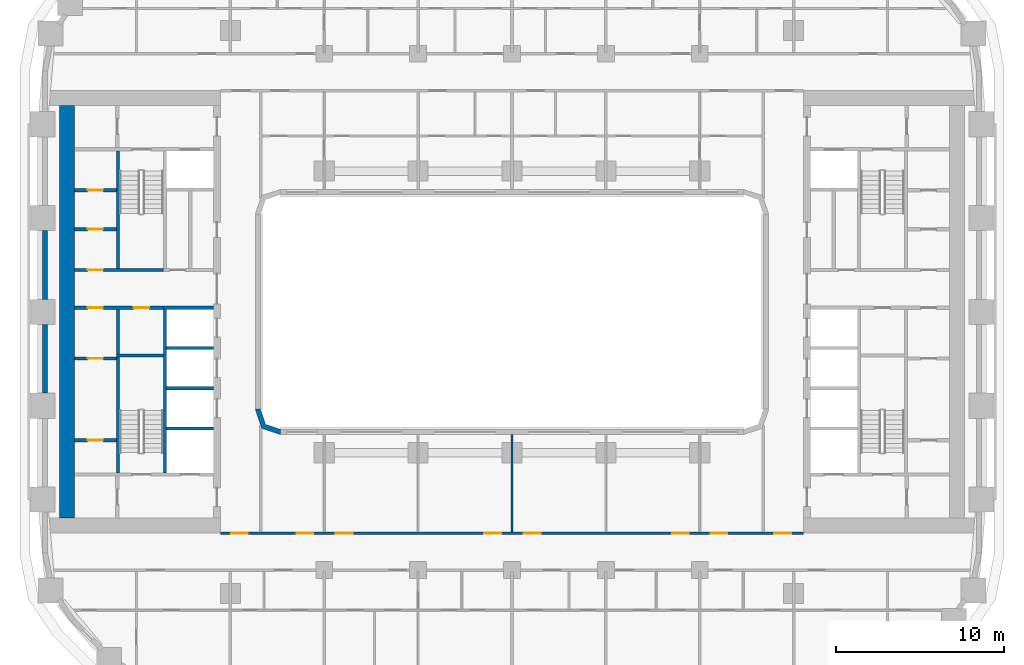
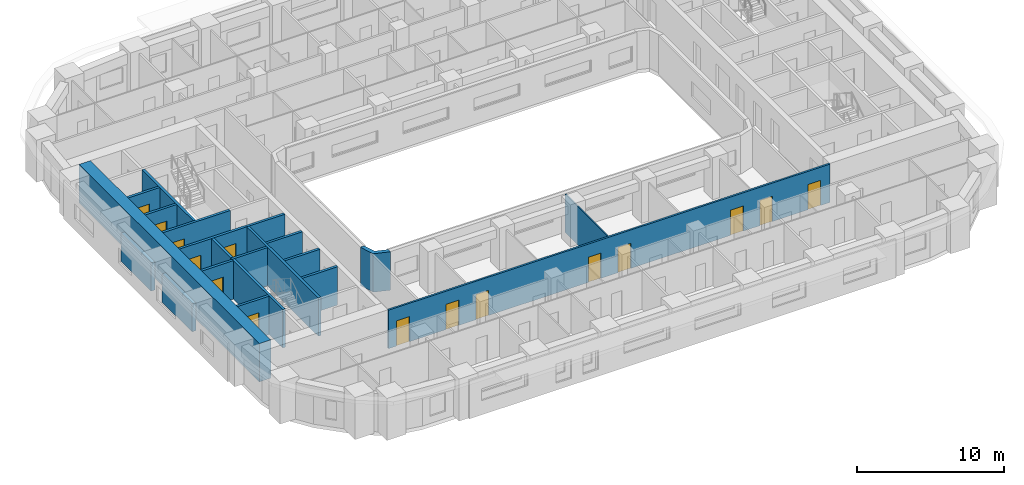
# One storey, part 4 of 21: 21 walls, 15 doors, 15 openings.
"""IFC4 building model written with IfcOpenShell, lengths in metres."""

from ifc_helpers import new_model, si_unit, direction, frame, frame_2d, origin, place, context, subcontext, project, spatial, polyline, rectangle, outline, extrude, material, layer, layer_set, type_object, element, fill, save


model = new_model("IFC4")

# Units and contexts
model_context = context("Model", 3, precision=1e-05, world=origin(), true_north=direction((0.0, 1.0)))
body_context = subcontext(model_context, "Body", "Model", "MODEL_VIEW")
ifc_project = project(units=[si_unit("LENGTHUNIT", "METRE"), si_unit("AREAUNIT", "SQUARE_METRE"), si_unit("VOLUMEUNIT", "CUBIC_METRE"), si_unit("PLANEANGLEUNIT", "RADIAN"), si_unit("MASSUNIT", "GRAM", prefix="KILO")], contexts=[model_context])

# Site, building, storey
site_placement = place(None, origin())
site = spatial("IfcSite", under=ifc_project, at=site_placement, CompositionType="ELEMENT")
building_placement = place(site_placement, origin())
building = spatial("IfcBuilding", under=site, at=building_placement, Name="Kiln Ring Residences", CompositionType="ELEMENT")
storey_placement = place(building_placement, frame((0.0, 0.0, 48.0)))
storey = spatial("IfcBuildingStorey", under=building, at=storey_placement, Name="L11", CompositionType="ELEMENT", Elevation=48.0)

# Wall
ifc_material_1 = material(Name="Gypsum board on steel studs", Category="steel")
ifc_layer_1 = layer(ifc_material_1, 0.199951171875)
ifc_layer_set_1 = layer_set([ifc_layer_1], Name="CORE-PARTITION-200")
wall_type_1 = type_object("IfcWallType", Name="CORE-PARTITION-200", PredefinedType="PARTITIONING", material=ifc_layer_set_1)
wall_1_placement = place(storey_placement, frame((-23.5, -2.5, 0.0), z_axis=(0.0, 0.0, 1.0), x_axis=(0.0, 1.0, 0.0)))
element("IfcWall", 1, at=wall_1_placement, inside=storey, type_object=wall_type_1, Name="Core partition west L11 1", PredefinedType="PARTITIONING", context=body_context, shape_type="SweptSolid", body=[
    extrude(rectangle(XDim=2.64990234375, YDim=0.199951171875, at=frame_2d((1.324951171875, 0.0))), origin(), (0.0, 0.0, 1.0), 3.199951171875),
])

# Wall, openings, doors
wall_2_placement = place(storey_placement, frame((-20.800048828125, 0.25, 0.0), z_axis=(0.0, 0.0, 1.0), x_axis=(-1.0, 0.0, 0.0)))
wall_2 = element("IfcWall", 2, at=wall_2_placement, inside=storey, type_object=wall_type_1, Name="Core partition west L11 2", PredefinedType="PARTITIONING", context=body_context, shape_type="SweptSolid", body=[
    extrude(rectangle(XDim=5.300048828125, YDim=0.199951171875, at=frame_2d((2.64990234375, 0.0))), origin(), (0.0, 0.0, 1.0), 3.199951171875),
])
opening_1_placement = place(wall_2_placement, frame((0.85009765625, 0.0, 0.0)))
opening_1 = element("IfcOpeningElement", 3, at=opening_1_placement, cuts=wall_2, Name="Opening L11-CW15", PredefinedType="OPENING", context=body_context, shape_type="SweptSolid", body=[
    extrude(rectangle(XDim=0.89990234375, YDim=2.10009765625, at=frame_2d((0.449951171875, 1.050048828125))), frame((0.0, 0.10986328125, 0.0), z_axis=(0.0, -1.0, 0.0), x_axis=(1.0, 0.0, 0.0)), (0.0, 0.0, 1.0), 0.219970703125),
])
opening_2_placement = place(wall_2_placement, frame((3.60009765625, 0.0, 0.0)))
opening_2 = element("IfcOpeningElement", 4, at=opening_2_placement, cuts=wall_2, Name="Opening L11-CW18", PredefinedType="OPENING", context=body_context, shape_type="SweptSolid", body=[
    extrude(rectangle(XDim=0.89990234375, YDim=2.10009765625, at=frame_2d((0.449951171875, 1.050048828125))), frame((0.0, 0.10986328125, 0.0), z_axis=(0.0, -1.0, 0.0), x_axis=(1.0, 0.0, 0.0)), (0.0, 0.0, 1.0), 0.219970703125),
])
ifc_material_2 = material(Name="Steel door leaf", Category="steel")
door_type_1 = type_object("IfcDoorType", Name="CORE-DOOR-ROOM", OperationType="SINGLE_SWING_LEFT", PredefinedType="DOOR", material=ifc_material_2)
door_1_placement = place(opening_1_placement, origin())
door_1 = element("IfcDoor", 5, at=door_1_placement, inside=storey, type_object=door_type_1, Name="Cleaner's store L11-CW15", OperationType="SINGLE_SWING_LEFT", OverallHeight=2.10009765625, OverallWidth=0.89990234375, PredefinedType="DOOR", context=body_context, shape_type="SweptSolid", body=[
    extrude(rectangle(XDim=0.89990234375, YDim=2.10009765625, at=frame_2d((0.449951171875, 1.050048828125))), frame((0.0, 0.02490234375, 0.0), z_axis=(0.0, -1.0, 0.0), x_axis=(1.0, 0.0, 0.0)), (0.0, 0.0, 1.0), 0.050048828125),
])
fill(opening_1, door_1)
door_2_placement = place(opening_2_placement, origin())
door_2 = element("IfcDoor", 6, at=door_2_placement, inside=storey, type_object=door_type_1, Name="Battery room L11-CW18", OperationType="SINGLE_SWING_RIGHT", OverallHeight=2.10009765625, OverallWidth=0.89990234375, PredefinedType="DOOR", context=body_context, shape_type="SweptSolid", body=[
    extrude(rectangle(XDim=0.89990234375, YDim=2.10009765625, at=frame_2d((0.449951171875, 1.050048828125))), frame((0.0, 0.02490234375, 0.0), z_axis=(0.0, -1.0, 0.0), x_axis=(1.0, 0.0, 0.0)), (0.0, 0.0, 1.0), 0.050048828125),
])
fill(opening_2, door_2)

# Wall, opening, door
wall_3_placement = place(storey_placement, frame((-23.60009765625, -7.64990234375, 0.0), z_axis=(0.0, 0.0, 1.0), x_axis=(-1.0, 0.0, 0.0)))
wall_3 = element("IfcWall", 7, at=wall_3_placement, inside=storey, type_object=wall_type_1, Name="Core partition west L11 6", PredefinedType="PARTITIONING", context=body_context, shape_type="SweptSolid", body=[
    extrude(rectangle(XDim=2.5, YDim=0.199951171875, at=frame_2d((1.25, 0.0))), origin(), (0.0, 0.0, 1.0), 3.199951171875),
])
opening_3_placement = place(wall_3_placement, frame((0.800048828125, 0.0, 0.0)))
opening_3 = element("IfcOpeningElement", 8, at=opening_3_placement, cuts=wall_3, Name="Opening L11-CW16", PredefinedType="OPENING", context=body_context, shape_type="SweptSolid", body=[
    extrude(rectangle(XDim=0.89990234375, YDim=2.10009765625, at=frame_2d((0.449951171875, 1.050048828125))), frame((0.0, 0.10986328125, 0.0), z_axis=(0.0, -1.0, 0.0), x_axis=(1.0, 0.0, 0.0)), (0.0, 0.0, 1.0), 0.219970703125),
])
door_3_placement = place(opening_3_placement, origin())
door_3 = element("IfcDoor", 9, at=door_3_placement, inside=storey, type_object=door_type_1, Name="Plant room L11-CW16", OperationType="SINGLE_SWING_LEFT", OverallHeight=2.10009765625, OverallWidth=0.89990234375, PredefinedType="DOOR", context=body_context, shape_type="SweptSolid", body=[
    extrude(rectangle(XDim=0.89990234375, YDim=2.10009765625, at=frame_2d((0.449951171875, 1.050048828125))), frame((0.0, 0.02490234375, 0.0), z_axis=(0.0, -1.0, 0.0), x_axis=(1.0, 0.0, 0.0)), (0.0, 0.0, 1.0), 0.050048828125),
])
fill(opening_3, door_3)

wall_4_placement = place(storey_placement, frame((-23.60009765625, -2.77490234375, 0.0), z_axis=(0.0, 0.0, 1.0), x_axis=(-1.0, 0.0, 0.0)))
wall_4 = element("IfcWall", 10, at=wall_4_placement, inside=storey, type_object=wall_type_1, Name="Core partition west L11 7", PredefinedType="PARTITIONING", context=body_context, shape_type="SweptSolid", body=[
    extrude(rectangle(XDim=2.5, YDim=0.199951171875, at=frame_2d((1.25, 0.0))), origin(), (0.0, 0.0, 1.0), 3.199951171875),
])
opening_4_placement = place(wall_4_placement, frame((0.800048828125, 0.0, 0.0)))
opening_4 = element("IfcOpeningElement", 11, at=opening_4_placement, cuts=wall_4, Name="Opening L11-CW17", PredefinedType="OPENING", context=body_context, shape_type="SweptSolid", body=[
    extrude(rectangle(XDim=0.89990234375, YDim=2.10009765625, at=frame_2d((0.449951171875, 1.050048828125))), frame((0.0, 0.10986328125, 0.0), z_axis=(0.0, -1.0, 0.0), x_axis=(1.0, 0.0, 0.0)), (0.0, 0.0, 1.0), 0.219970703125),
])
door_4_placement = place(opening_4_placement, origin())
door_4 = element("IfcDoor", 12, at=door_4_placement, inside=storey, type_object=door_type_1, Name="Battery room L11-CW17", OperationType="SINGLE_SWING_RIGHT", OverallHeight=2.10009765625, OverallWidth=0.89990234375, PredefinedType="DOOR", context=body_context, shape_type="SweptSolid", body=[
    extrude(rectangle(XDim=0.89990234375, YDim=2.10009765625, at=frame_2d((0.449951171875, 1.050048828125))), frame((0.0, 0.02490234375, 0.0), z_axis=(0.0, -1.0, 0.0), x_axis=(1.0, 0.0, 0.0)), (0.0, 0.0, 1.0), 0.050048828125),
])
fill(opening_4, door_4)

wall_5_placement = place(storey_placement, frame((-23.60009765625, 4.933349609375, 0.0), z_axis=(0.0, 0.0, 1.0), x_axis=(-1.0, 0.0, 0.0)))
wall_5 = element("IfcWall", 13, at=wall_5_placement, inside=storey, type_object=wall_type_1, Name="Core partition west L11 8", PredefinedType="PARTITIONING", context=body_context, shape_type="SweptSolid", body=[
    extrude(rectangle(XDim=2.5, YDim=0.199951171875, at=frame_2d((1.25, 0.0))), origin(), (0.0, 0.0, 1.0), 3.199951171875),
])
opening_5_placement = place(wall_5_placement, frame((0.800048828125, 0.0, 0.0)))
opening_5 = element("IfcOpeningElement", 14, at=opening_5_placement, cuts=wall_5, Name="Opening L11-CW19", PredefinedType="OPENING", context=body_context, shape_type="SweptSolid", body=[
    extrude(rectangle(XDim=0.89990234375, YDim=2.10009765625, at=frame_2d((0.449951171875, 1.050048828125))), frame((0.0, 0.10986328125, 0.0), z_axis=(0.0, -1.0, 0.0), x_axis=(1.0, 0.0, 0.0)), (0.0, 0.0, 1.0), 0.219970703125),
])
door_5_placement = place(opening_5_placement, origin())
door_5 = element("IfcDoor", 15, at=door_5_placement, inside=storey, type_object=door_type_1, Name="Electrical plant room L11-CW19", OperationType="SINGLE_SWING_RIGHT", OverallHeight=2.10009765625, OverallWidth=0.89990234375, PredefinedType="DOOR", context=body_context, shape_type="SweptSolid", body=[
    extrude(rectangle(XDim=0.89990234375, YDim=2.10009765625, at=frame_2d((0.449951171875, 1.050048828125))), frame((0.0, 0.02490234375, 0.0), z_axis=(0.0, -1.0, 0.0), x_axis=(1.0, 0.0, 0.0)), (0.0, 0.0, 1.0), 0.050048828125),
])
fill(opening_5, door_5)

wall_6_placement = place(storey_placement, frame((-23.60009765625, 7.2666015625, 0.0), z_axis=(0.0, 0.0, 1.0), x_axis=(-1.0, 0.0, 0.0)))
wall_6 = element("IfcWall", 16, at=wall_6_placement, inside=storey, type_object=wall_type_1, Name="Core partition west L11 9", PredefinedType="PARTITIONING", context=body_context, shape_type="SweptSolid", body=[
    extrude(rectangle(XDim=2.5, YDim=0.199951171875, at=frame_2d((1.25, 0.0))), origin(), (0.0, 0.0, 1.0), 3.199951171875),
])
opening_6_placement = place(wall_6_placement, frame((0.800048828125, 0.0, 0.0)))
opening_6 = element("IfcOpeningElement", 17, at=opening_6_placement, cuts=wall_6, Name="Opening L11-CW20", PredefinedType="OPENING", context=body_context, shape_type="SweptSolid", body=[
    extrude(rectangle(XDim=0.89990234375, YDim=2.10009765625, at=frame_2d((0.449951171875, 1.050048828125))), frame((0.0, 0.10986328125, 0.0), z_axis=(0.0, -1.0, 0.0), x_axis=(1.0, 0.0, 0.0)), (0.0, 0.0, 1.0), 0.219970703125),
])
door_6_placement = place(opening_6_placement, origin())
door_6 = element("IfcDoor", 18, at=door_6_placement, inside=storey, type_object=door_type_1, Name="Comms room L11-CW20", OperationType="SINGLE_SWING_LEFT", OverallHeight=2.10009765625, OverallWidth=0.89990234375, PredefinedType="DOOR", context=body_context, shape_type="SweptSolid", body=[
    extrude(rectangle(XDim=0.89990234375, YDim=2.10009765625, at=frame_2d((0.449951171875, 1.050048828125))), frame((0.0, 0.02490234375, 0.0), z_axis=(0.0, -1.0, 0.0), x_axis=(1.0, 0.0, 0.0)), (0.0, 0.0, 1.0), 0.050048828125),
])
fill(opening_6, door_6)

# Walls
ifc_material_3 = material(Name="Gypsum shaft wall system")
ifc_layer_2 = layer(ifc_material_3, 0.199951171875)
ifc_layer_set_2 = layer_set([ifc_layer_2], Name="CORE-SHAFT-WALL-200")
wall_type_2 = type_object("IfcWallType", Name="CORE-SHAFT-WALL-200", PredefinedType="PARTITIONING", material=ifc_layer_set_2)
for number, where, z_axis, x_axis, name in (
    (19, (-17.800048828125, -6.949951171875, 0.0), (0.0, 0.0, 1.0), (-1.0, 0.0, 0.0), "Core partition west L11 10"),
    (20, (-17.800048828125, -4.550048828125, 0.0), (0.0, 0.0, 1.0), (-1.0, 0.0, 0.0), "Core partition west L11 11"),
    (21, (-17.800048828125, -2.14990234375, 0.0), (0.0, 0.0, 1.0), (-1.0, 0.0, 0.0), "Core partition west L11 12"),
):
    element("IfcWall", number, at=place(storey_placement, frame(where, z_axis=z_axis, x_axis=x_axis)), inside=storey, type_object=wall_type_2, Name=name, PredefinedType="PARTITIONING", context=body_context, shape_type="SweptSolid", body=[
        extrude(rectangle(XDim=2.800048828125, YDim=0.199951171875, at=frame_2d((1.39990234375, 0.0))), origin(), (0.0, 0.0, 1.0), 3.199951171875),
    ])
wall_7_placement = place(storey_placement, frame((-17.800048828125, 0.25, 0.0), z_axis=(0.0, 0.0, 1.0), x_axis=(-1.0, 0.0, 0.0)))
element("IfcWall", 22, at=wall_7_placement, inside=storey, type_object=wall_type_2, Name="Core partition west L11 13", PredefinedType="PARTITIONING", context=body_context, shape_type="SweptSolid", body=[
    extrude(rectangle(XDim=3.0, YDim=0.199951171875, at=frame_2d((1.5, 0.0))), origin(), (0.0, 0.0, 1.0), 3.199951171875),
])
ifc_material_4 = material(Name="Concrete C40/50", Category="concrete")
ifc_layer_3 = layer(ifc_material_4, 0.199951171875)
ifc_layer_set_3 = layer_set([ifc_layer_3], Name="CORE-WALL-RC200")
wall_type_3 = type_object("IfcWallType", Name="CORE-WALL-RC200", PredefinedType="SHEAR", material=ifc_layer_set_3)
wall_8_placement = place(storey_placement, frame((-20.699951171875, -9.60009765625, 0.0), z_axis=(0.0, 0.0, 1.0), x_axis=(0.0, 1.0, 0.0)))
element("IfcWall", 23, at=wall_8_placement, inside=storey, type_object=wall_type_3, Name="Core wall west L11 2", PredefinedType="SHEAR", context=body_context, shape_type="SweptSolid", body=[
    extrude(rectangle(XDim=9.75, YDim=0.199951171875, at=frame_2d((4.875, 0.0))), origin(), (0.0, 0.0, 1.0), 3.199951171875),
])

# Wall, opening, door
wall_9_placement = place(storey_placement, frame((-20.800048828125, 2.5, 0.0), z_axis=(0.0, 0.0, 1.0), x_axis=(-1.0, 0.0, 0.0)))
wall_9 = element("IfcWall", 24, at=wall_9_placement, inside=storey, type_object=wall_type_3, Name="Core wall west L11 3", PredefinedType="SHEAR", context=body_context, shape_type="SweptSolid", body=[
    extrude(rectangle(XDim=5.300048828125, YDim=0.199951171875, at=frame_2d((2.64990234375, 0.0))), origin(), (0.0, 0.0, 1.0), 3.199951171875),
])
opening_7_placement = place(wall_9_placement, frame((3.60009765625, 0.0, 0.0)))
opening_7 = element("IfcOpeningElement", 25, at=opening_7_placement, cuts=wall_9, Name="Opening L11-CW21", PredefinedType="OPENING", context=body_context, shape_type="SweptSolid", body=[
    extrude(rectangle(XDim=0.89990234375, YDim=2.10009765625, at=frame_2d((0.449951171875, 1.050048828125))), frame((0.0, 0.10986328125, 0.0), z_axis=(0.0, -1.0, 0.0), x_axis=(1.0, 0.0, 0.0)), (0.0, 0.0, 1.0), 0.219970703125),
])
door_7_placement = place(opening_7_placement, origin())
door_7 = element("IfcDoor", 26, at=door_7_placement, inside=storey, type_object=door_type_1, Name="UPS room L11-CW21", OperationType="SINGLE_SWING_RIGHT", OverallHeight=2.10009765625, OverallWidth=0.89990234375, PredefinedType="DOOR", context=body_context, shape_type="SweptSolid", body=[
    extrude(rectangle(XDim=0.89990234375, YDim=2.10009765625, at=frame_2d((0.449951171875, 1.050048828125))), frame((0.0, 0.02490234375, 0.0), z_axis=(0.0, -1.0, 0.0), x_axis=(1.0, 0.0, 0.0)), (0.0, 0.0, 1.0), 0.050048828125),
])
fill(opening_7, door_7)

# Walls
wall_10_placement = place(storey_placement, frame((-23.5, 2.60009765625, 0.0), z_axis=(0.0, 0.0, 1.0), x_axis=(0.0, 1.0, 0.0)))
element("IfcWall", 27, at=wall_10_placement, inside=storey, type_object=wall_type_3, Name="Core wall west L11 10", PredefinedType="SHEAR", context=body_context, shape_type="SweptSolid", body=[
    extrude(rectangle(XDim=7.0, YDim=0.199951171875, at=frame_2d((3.5, 0.0))), origin(), (0.0, 0.0, 1.0), 3.199951171875),
])
wall_11_placement = place(storey_placement, frame((-23.5, -9.60009765625, 0.0), z_axis=(0.0, 0.0, 1.0), x_axis=(0.0, 1.0, 0.0)))
element("IfcWall", 28, at=wall_11_placement, inside=storey, type_object=wall_type_3, Name="Core wall west L11 11", PredefinedType="SHEAR", context=body_context, shape_type="SweptSolid", body=[
    extrude(rectangle(XDim=6.900146484375, YDim=0.199951171875, at=frame_2d((3.4501953125, 0.0))), origin(), (0.0, 0.0, 1.0), 3.199951171875),
])
wall_12_placement = place(storey_placement, frame((-20.800048828125, -2.60009765625, 0.0), z_axis=(0.0, 0.0, 1.0), x_axis=(-1.0, 0.0, 0.0)))
element("IfcWall", 29, at=wall_12_placement, inside=storey, type_object=wall_type_3, Name="Core wall west L11 12", PredefinedType="SHEAR", context=body_context, shape_type="SweptSolid", body=[
    extrude(rectangle(XDim=2.800048828125, YDim=0.199951171875, at=frame_2d((1.39990234375, 0.0))), origin(), (0.0, 0.0, 1.0), 3.199951171875),
])
ifc_material_5 = material(Name="Concrete C60/75", Category="concrete")
ifc_layer_4 = layer(ifc_material_5, 0.89990234375)
ifc_layer_set_4 = layer_set([ifc_layer_4], Name="CORE-WALL-RC900")
wall_type_4 = type_object("IfcWallType", Name="CORE-WALL-RC900", PredefinedType="SHEAR", material=ifc_layer_set_4)
wall_13_placement = place(storey_placement, frame((-26.550048828125, -12.300048828125, 0.0), z_axis=(0.0, 0.0, 1.0), x_axis=(0.0, 1.0, 0.0)))
element("IfcWall", 30, at=wall_13_placement, inside=storey, type_object=wall_type_4, Name="Core wall west L11 7", PredefinedType="SHEAR", context=body_context, shape_type="SweptSolid", body=[
    extrude(rectangle(XDim=24.60009765625, YDim=0.89990234375, at=frame_2d((12.300048828125, 0.0))), origin(), (0.0, 0.0, 1.0), 3.199951171875),
])
ifc_material_6 = material(Name="Brick masonry, dark clay brick", Category="masonry")
ifc_layer_5 = layer(ifc_material_6, 0.300048828125)
ifc_layer_set_5 = layer_set([ifc_layer_5], Name="EW-300 BRICK WALL")
wall_type_5 = type_object("IfcWallType", Name="EW-300 BRICK WALL", PredefinedType="SOLIDWALL", material=ifc_layer_set_5)
for number, where, z_axis, x_axis, name in (
    (31, (-27.85009765625, 4.85009765625, 0.0), (0.0, 0.0, 1.0), (0.0, -1.0, 0.0), "Facade wall L11 43"),
    (32, (-27.85009765625, -0.75, 0.0), (0.0, 0.0, 1.0), (0.0, -1.0, 0.0), "Facade wall L11 44"),
):
    element("IfcWall", number, at=place(storey_placement, frame(where, z_axis=z_axis, x_axis=x_axis)), inside=storey, type_object=wall_type_5, Name=name, PredefinedType="SOLIDWALL", context=body_context, shape_type="SweptSolid", body=[
        extrude(rectangle(XDim=4.10009765625, YDim=0.300048828125, at=frame_2d((2.050048828125, 0.0))), origin(), (0.0, 0.0, 1.0), 2.35009765625),
    ])
wall_14_placement = place(storey_placement, origin())
element("IfcWall", 33, at=wall_14_placement, inside=storey, type_object=wall_type_5, Name="Corner wall L11 4", PredefinedType="SOLIDWALL", context=body_context, shape_type="SweptSolid", body=[
    extrude(outline(polyline([(-14.937255859375, -6.937255859375), (-13.8486328125, -7.300048828125), (-13.800048828125, -7.300048828125), (-13.800048828125, -7.0), (-14.699951171875, -6.699951171875), (-15.0, -5.800048828125), (-15.300048828125, -5.800048828125), (-15.300048828125, -5.8486328125), (-14.937255859375, -6.937255859375)])), origin(), (0.0, 0.0, 1.0), 3.199951171875),
])
ifc_material_7 = material(Name="Gypsum board on steel studs", Category="steel")
ifc_layer_6 = layer(ifc_material_7, 0.10009765625)
ifc_layer_set_6 = layer_set([ifc_layer_6], Name="PARTITION-100")
wall_type_6 = type_object("IfcWallType", Name="PARTITION-100", PredefinedType="PARTITIONING", material=ifc_layer_set_6)
wall_15_placement = place(storey_placement, frame((0.0, -13.125, 0.0), z_axis=(0.0, 0.0, 1.0), x_axis=(0.0, 1.0, 0.0)))
element("IfcWall", 34, at=wall_15_placement, inside=storey, type_object=wall_type_6, Name="Partition 038", PredefinedType="PARTITIONING", context=body_context, shape_type="SweptSolid", body=[
    extrude(rectangle(XDim=5.804931640625, YDim=0.10009765625, at=frame_2d((2.90234375, 0.0))), origin(), (0.0, 0.0, 1.0), 3.199951171875),
])

# Wall, openings, doors
ifc_material_8 = material(Name="Brick masonry partition", Category="masonry")
ifc_layer_7 = layer(ifc_material_8, 0.14990234375)
ifc_layer_set_7 = layer_set([ifc_layer_7], Name="PARTITION-150-ei60")
wall_type_7 = type_object("IfcWallType", Name="PARTITION-150-ei60", PredefinedType="PARTITIONING", material=ifc_layer_set_7)
wall_16_placement = place(storey_placement, frame((-17.39990234375, -13.199951171875, 0.0), z_axis=(0.0, 0.0, 1.0), x_axis=(1.0, 0.0, 0.0)))
wall_16 = element("IfcWall", 35, at=wall_16_placement, inside=storey, type_object=wall_type_7, Name="Partition 002", PredefinedType="PARTITIONING", context=body_context, shape_type="SweptSolid", body=[
    extrude(rectangle(XDim=34.7998046875, YDim=0.14990234375, at=frame_2d((17.39990234375, 0.0))), origin(), (0.0, 0.0, 1.0), 3.199951171875),
])
opening_8_placement = place(wall_16_placement, frame((0.64990234375, 0.0, 0.0)))
opening_8 = element("IfcOpeningElement", 36, at=opening_8_placement, cuts=wall_16, Name="Opening L11-D003", PredefinedType="OPENING", context=body_context, shape_type="SweptSolid", body=[
    extrude(rectangle(XDim=1.0, YDim=2.10009765625, at=frame_2d((0.5, 1.050048828125))), frame((0.0, 0.0849609375, 0.0), z_axis=(0.0, -1.0, 0.0), x_axis=(1.0, 0.0, 0.0)), (0.0, 0.0, 1.0), 0.169921875),
])
opening_9_placement = place(wall_16_placement, frame((33.050048828125, 0.0, 0.0)))
opening_9 = element("IfcOpeningElement", 37, at=opening_9_placement, cuts=wall_16, Name="Opening L11-D004", PredefinedType="OPENING", context=body_context, shape_type="SweptSolid", body=[
    extrude(rectangle(XDim=1.0, YDim=2.10009765625, at=frame_2d((0.5, 1.050048828125))), frame((0.0, 0.0849609375, 0.0), z_axis=(0.0, -1.0, 0.0), x_axis=(1.0, 0.0, 0.0)), (0.0, 0.0, 1.0), 0.169921875),
])
opening_10_placement = place(wall_16_placement, frame((4.550048828125, 0.0, 0.0)))
opening_10 = element("IfcOpeningElement", 38, at=opening_10_placement, cuts=wall_16, Name="Opening L11-D045", PredefinedType="OPENING", context=body_context, shape_type="SweptSolid", body=[
    extrude(rectangle(XDim=1.0, YDim=2.10009765625, at=frame_2d((0.5, 1.050048828125))), frame((0.0, 0.0849609375, 0.0), z_axis=(0.0, -1.0, 0.0), x_axis=(1.0, 0.0, 0.0)), (0.0, 0.0, 1.0), 0.169921875),
])
opening_11_placement = place(wall_16_placement, frame((6.89990234375, 0.0, 0.0)))
opening_11 = element("IfcOpeningElement", 39, at=opening_11_placement, cuts=wall_16, Name="Opening L11-D046", PredefinedType="OPENING", context=body_context, shape_type="SweptSolid", body=[
    extrude(rectangle(XDim=1.0, YDim=2.10009765625, at=frame_2d((0.5, 1.050048828125))), frame((0.0, 0.0849609375, 0.0), z_axis=(0.0, -1.0, 0.0), x_axis=(1.0, 0.0, 0.0)), (0.0, 0.0, 1.0), 0.169921875),
])
opening_12_placement = place(wall_16_placement, frame((15.75, 0.0, 0.0)))
opening_12 = element("IfcOpeningElement", 40, at=opening_12_placement, cuts=wall_16, Name="Opening L11-D047", PredefinedType="OPENING", context=body_context, shape_type="SweptSolid", body=[
    extrude(rectangle(XDim=1.0, YDim=2.10009765625, at=frame_2d((0.5, 1.050048828125))), frame((0.0, 0.0849609375, 0.0), z_axis=(0.0, -1.0, 0.0), x_axis=(1.0, 0.0, 0.0)), (0.0, 0.0, 1.0), 0.169921875),
])
opening_13_placement = place(wall_16_placement, frame((18.10009765625, 0.0, 0.0)))
opening_13 = element("IfcOpeningElement", 41, at=opening_13_placement, cuts=wall_16, Name="Opening L11-D048", PredefinedType="OPENING", context=body_context, shape_type="SweptSolid", body=[
    extrude(rectangle(XDim=1.0, YDim=2.10009765625, at=frame_2d((0.5, 1.050048828125))), frame((0.0, 0.0849609375, 0.0), z_axis=(0.0, -1.0, 0.0), x_axis=(1.0, 0.0, 0.0)), (0.0, 0.0, 1.0), 0.169921875),
])
opening_14_placement = place(wall_16_placement, frame((26.949951171875, 0.0, 0.0)))
opening_14 = element("IfcOpeningElement", 42, at=opening_14_placement, cuts=wall_16, Name="Opening L11-D049", PredefinedType="OPENING", context=body_context, shape_type="SweptSolid", body=[
    extrude(rectangle(XDim=1.0, YDim=2.10009765625, at=frame_2d((0.5, 1.050048828125))), frame((0.0, 0.0849609375, 0.0), z_axis=(0.0, -1.0, 0.0), x_axis=(1.0, 0.0, 0.0)), (0.0, 0.0, 1.0), 0.169921875),
])
opening_15_placement = place(wall_16_placement, frame((29.25, 0.0, 0.0)))
opening_15 = element("IfcOpeningElement", 43, at=opening_15_placement, cuts=wall_16, Name="Opening L11-D050", PredefinedType="OPENING", context=body_context, shape_type="SweptSolid", body=[
    extrude(rectangle(XDim=1.0, YDim=2.10009765625, at=frame_2d((0.5, 1.050048828125))), frame((0.0, 0.0849609375, 0.0), z_axis=(0.0, -1.0, 0.0), x_axis=(1.0, 0.0, 0.0)), (0.0, 0.0, 1.0), 0.169921875),
])
ifc_material_9 = material(Name="Steel faced fire door leaf", Category="steel")
door_type_2 = type_object("IfcDoorType", Name="FLAT-DOOR-1000-FR", OperationType="SINGLE_SWING_LEFT", PredefinedType="DOOR", material=ifc_material_9)
door_8_placement = place(opening_8_placement, origin())
door_8 = element("IfcDoor", 44, at=door_8_placement, inside=storey, type_object=door_type_2, Name="Door L11-D003", OperationType="SINGLE_SWING_RIGHT", OverallHeight=2.10009765625, OverallWidth=1.0, PredefinedType="DOOR", context=body_context, shape_type="SweptSolid", body=[
    extrude(rectangle(XDim=1.0, YDim=2.10009765625, at=frame_2d((0.5, 1.050048828125))), frame((0.0, 0.02490234375, 0.0), z_axis=(0.0, -1.0, 0.0), x_axis=(1.0, 0.0, 0.0)), (0.0, 0.0, 1.0), 0.050048828125),
])
fill(opening_8, door_8)
door_9_placement = place(opening_9_placement, origin())
door_9 = element("IfcDoor", 45, at=door_9_placement, inside=storey, type_object=door_type_2, Name="Door L11-D004", OperationType="SINGLE_SWING_LEFT", OverallHeight=2.10009765625, OverallWidth=1.0, PredefinedType="DOOR", context=body_context, shape_type="SweptSolid", body=[
    extrude(rectangle(XDim=1.0, YDim=2.10009765625, at=frame_2d((0.5, 1.050048828125))), frame((0.0, 0.02490234375, 0.0), z_axis=(0.0, -1.0, 0.0), x_axis=(1.0, 0.0, 0.0)), (0.0, 0.0, 1.0), 0.050048828125),
])
fill(opening_9, door_9)
door_10_placement = place(opening_10_placement, origin())
door_10 = element("IfcDoor", 46, at=door_10_placement, inside=storey, type_object=door_type_2, Name="Door L11-D045", OperationType="SINGLE_SWING_LEFT", OverallHeight=2.10009765625, OverallWidth=1.0, PredefinedType="DOOR", context=body_context, shape_type="SweptSolid", body=[
    extrude(rectangle(XDim=1.0, YDim=2.10009765625, at=frame_2d((0.5, 1.050048828125))), frame((0.0, 0.02490234375, 0.0), z_axis=(0.0, -1.0, 0.0), x_axis=(1.0, 0.0, 0.0)), (0.0, 0.0, 1.0), 0.050048828125),
])
fill(opening_10, door_10)
door_11_placement = place(opening_11_placement, origin())
door_11 = element("IfcDoor", 47, at=door_11_placement, inside=storey, type_object=door_type_2, Name="Door L11-D046", OperationType="SINGLE_SWING_RIGHT", OverallHeight=2.10009765625, OverallWidth=1.0, PredefinedType="DOOR", context=body_context, shape_type="SweptSolid", body=[
    extrude(rectangle(XDim=1.0, YDim=2.10009765625, at=frame_2d((0.5, 1.050048828125))), frame((0.0, 0.02490234375, 0.0), z_axis=(0.0, -1.0, 0.0), x_axis=(1.0, 0.0, 0.0)), (0.0, 0.0, 1.0), 0.050048828125),
])
fill(opening_11, door_11)
door_12_placement = place(opening_12_placement, origin())
door_12 = element("IfcDoor", 48, at=door_12_placement, inside=storey, type_object=door_type_2, Name="Door L11-D047", OperationType="SINGLE_SWING_LEFT", OverallHeight=2.10009765625, OverallWidth=1.0, PredefinedType="DOOR", context=body_context, shape_type="SweptSolid", body=[
    extrude(rectangle(XDim=1.0, YDim=2.10009765625, at=frame_2d((0.5, 1.050048828125))), frame((0.0, 0.02490234375, 0.0), z_axis=(0.0, -1.0, 0.0), x_axis=(1.0, 0.0, 0.0)), (0.0, 0.0, 1.0), 0.050048828125),
])
fill(opening_12, door_12)
door_13_placement = place(opening_13_placement, origin())
door_13 = element("IfcDoor", 49, at=door_13_placement, inside=storey, type_object=door_type_2, Name="Door L11-D048", OperationType="SINGLE_SWING_RIGHT", OverallHeight=2.10009765625, OverallWidth=1.0, PredefinedType="DOOR", context=body_context, shape_type="SweptSolid", body=[
    extrude(rectangle(XDim=1.0, YDim=2.10009765625, at=frame_2d((0.5, 1.050048828125))), frame((0.0, 0.02490234375, 0.0), z_axis=(0.0, -1.0, 0.0), x_axis=(1.0, 0.0, 0.0)), (0.0, 0.0, 1.0), 0.050048828125),
])
fill(opening_13, door_13)
door_14_placement = place(opening_14_placement, origin())
door_14 = element("IfcDoor", 50, at=door_14_placement, inside=storey, type_object=door_type_2, Name="Door L11-D049", OperationType="SINGLE_SWING_LEFT", OverallHeight=2.10009765625, OverallWidth=1.0, PredefinedType="DOOR", context=body_context, shape_type="SweptSolid", body=[
    extrude(rectangle(XDim=1.0, YDim=2.10009765625, at=frame_2d((0.5, 1.050048828125))), frame((0.0, 0.02490234375, 0.0), z_axis=(0.0, -1.0, 0.0), x_axis=(1.0, 0.0, 0.0)), (0.0, 0.0, 1.0), 0.050048828125),
])
fill(opening_14, door_14)
door_15_placement = place(opening_15_placement, origin())
door_15 = element("IfcDoor", 51, at=door_15_placement, inside=storey, type_object=door_type_2, Name="Door L11-D050", OperationType="SINGLE_SWING_RIGHT", OverallHeight=2.10009765625, OverallWidth=1.0, PredefinedType="DOOR", context=body_context, shape_type="SweptSolid", body=[
    extrude(rectangle(XDim=1.0, YDim=2.10009765625, at=frame_2d((0.5, 1.050048828125))), frame((0.0, 0.02490234375, 0.0), z_axis=(0.0, -1.0, 0.0), x_axis=(1.0, 0.0, 0.0)), (0.0, 0.0, 1.0), 0.050048828125),
])
fill(opening_15, door_15)

save(model, "model.ifc")
